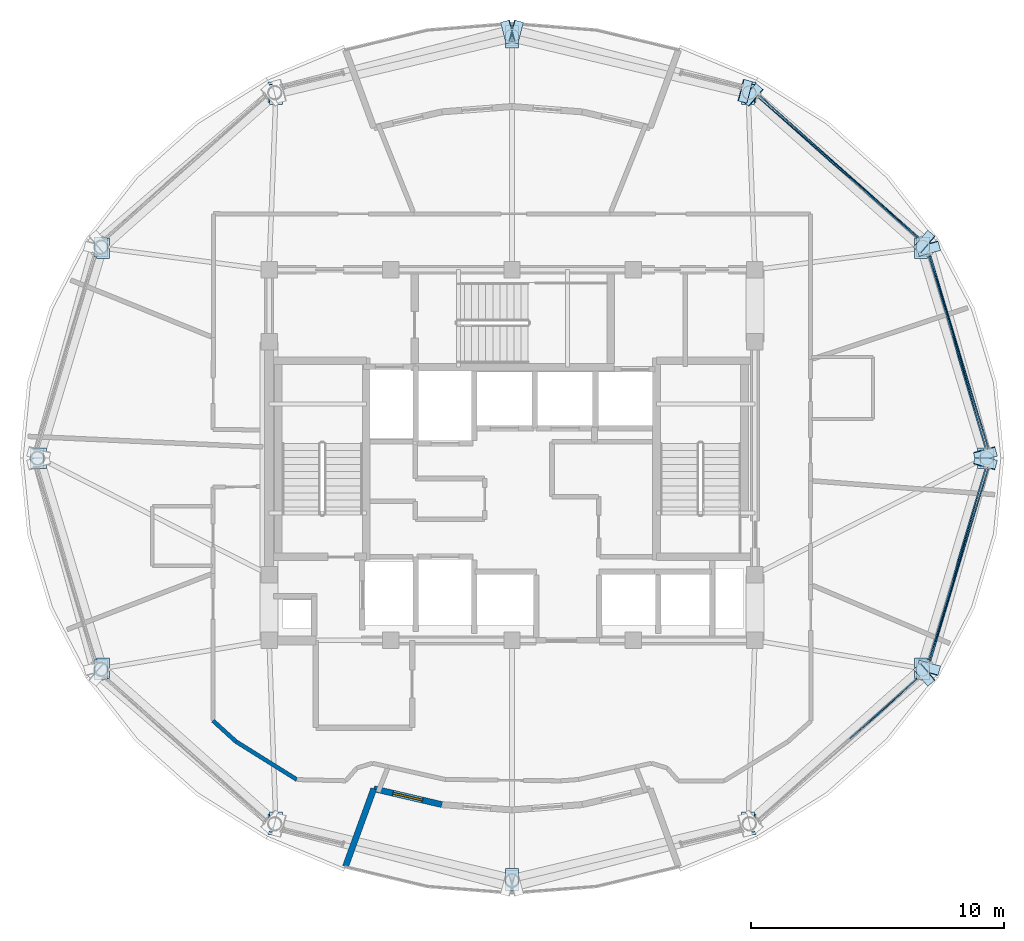
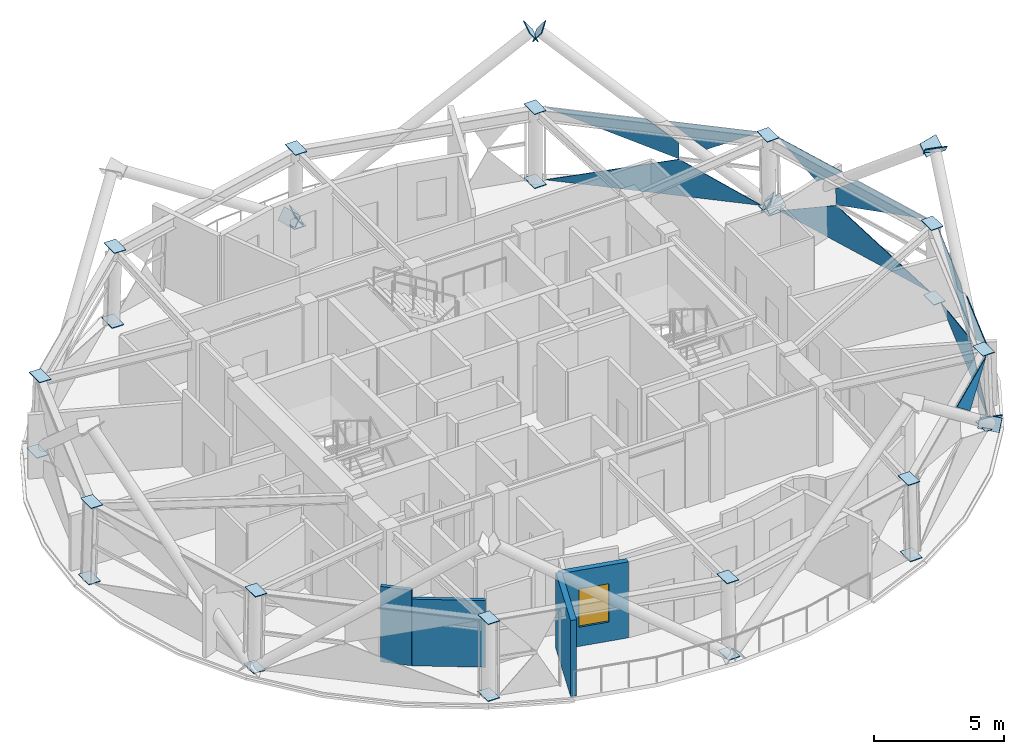
# One storey, part 6 of 13: 44 plates, 4 walls, 1 window, 1 opening, 4 elements without a shape of their own.
"""IFC4 building model written with IfcOpenShell, lengths in metres."""

from ifc_helpers import new_model, si_unit, direction, frame, frame_2d, origin, place, context, subcontext, project, spatial, polyline, rectangle, outline, extrude, material, layer, layer_set, type_object, element, fill, aggregate, save


model = new_model("IFC4")

# Units and contexts
model_context = context("Model", 3, precision=1e-05, world=origin(), true_north=direction((0.0, 1.0)))
body_context = subcontext(model_context, "Body", "Model", "MODEL_VIEW")
ifc_project = project(units=[si_unit("LENGTHUNIT", "METRE"), si_unit("AREAUNIT", "SQUARE_METRE"), si_unit("VOLUMEUNIT", "CUBIC_METRE"), si_unit("PLANEANGLEUNIT", "RADIAN"), si_unit("MASSUNIT", "GRAM", prefix="KILO")], contexts=[model_context])

# Site, building, storey
site_placement = place(None, origin())
site = spatial("IfcSite", under=ifc_project, at=site_placement, CompositionType="ELEMENT")
building_placement = place(site_placement, origin())
building = spatial("IfcBuilding", under=site, at=building_placement, Name="Vantalir Tower", CompositionType="ELEMENT")
storey_placement = place(building_placement, frame((0.0, 0.0, 282.60009765625)))
storey = spatial("IfcBuildingStorey", under=building, at=storey_placement, Name="L71", CompositionType="ELEMENT", Elevation=282.60009765625)

# Curtain wall, plates
ifc_material_1 = material(Name="Champagne-silver PVDF aluminium and double-silver Low-E glass", Category="aluminium")
ifc_layer_1 = layer(ifc_material_1, 0.219970703125)
ifc_layer_set_1 = layer_set([ifc_layer_1], Name="Champagne-silver PVDF aluminium and double-silver Low-E glass")
curtain_wall_type = type_object("IfcCurtainWallType", Name="CW-DIAMOND-Z4", PredefinedType="USERDEFINED", material=ifc_layer_set_1)
curtain_wall_1_placement = place(storey_placement, origin())
curtain_wall_1 = element("IfcCurtainWall", 1, at=curtain_wall_1_placement, inside=storey, type_object=curtain_wall_type, Name="L71 Quilted Pyramid-Diamond Curtain Wall S01", ObjectType="UNITISED CURTAIN WALL", PredefinedType="USERDEFINED")
ifc_material_2 = material(Name="Double-silver Low-E acoustic glass IGU", Category="glass")
ifc_layer_2 = layer(ifc_material_2, 0.031982421875)
ifc_layer_set_2 = layer_set([ifc_layer_2], Name="Double-silver Low-E acoustic glass IGU")
plate_type_1 = type_object("IfcPlateType", Name="CWP-IGU-32", PredefinedType="CURTAIN_PANEL", material=ifc_layer_set_2)
plate_1_placement = place(storey_placement, frame((50.34326171875, 25.3876953125, 0.046875), z_axis=(0.957520319371, 0.287971889541, 0.01506747575), x_axis=(-0.288005023828, 0.957628897497, 3.0483174e-05)))
plate_1 = element("IfcPlate", 2, at=plate_1_placement, type_object=plate_type_1, Name="CW-L71-S01 Pyramid Diamond Facet 1L", PredefinedType="CURTAIN_PANEL", context=body_context, shape_type="SweptSolid", body=[
    extrude(outline(polyline([(0.0, 0.0), (8.009029128531912, 2.791820594150174e-18), (4.961663180608871, 1.7248980810936876), (0.0, 0.0)])), origin(), (0.0, 0.0, -1.0), 0.031982421875),
])
plate_2_placement = place(storey_placement, frame((50.238525390625, 25.3876953125, 3.52294921875), z_axis=(0.956736305909, 0.287792560988, 0.042791153248), x_axis=(-0.288053787166, 0.957614229016, -6.391908e-05)))
plate_2 = element("IfcPlate", 3, at=plate_2_placement, type_object=plate_type_1, Name="CW-L71-S01 Pyramid Diamond Facet 2U", PredefinedType="CURTAIN_PANEL", context=body_context, shape_type="SweptSolid", body=[
    extrude(outline(polyline([(0.0, 0.0), (3.769664868032772, 4.4994390158148434e-18), (4.931504511162074, -0.9500178545380409), (4.931529650223802, -1.7261161681040134), (0.0, 0.0)])), origin(), (0.0, 0.0, -1.0), 0.031982421875),
])
plate_3_placement = place(storey_placement, frame((48.955322265625, 29.77880859375, 3.524169921875), z_axis=(0.956754815848, 0.287768561977, 0.042537948812), x_axis=(-0.288029271151, 0.957621605312, 0.0)))
plate_3 = element("IfcPlate", 4, at=plate_3_placement, type_object=plate_type_1, Name="CW-L71-S01 Pyramid Diamond Facet 2U Infill Light", PredefinedType="CURTAIN_PANEL", context=body_context, shape_type="SweptSolid", body=[
    extrude(outline(polyline([(0.0, 0.0), (3.385411671365819, -6.938893903907228e-18), (1.3907081935838645, -1.1370154956442515), (0.0, 0.0)])), origin(), (0.0, 0.0, -1.0), 0.031982421875),
])
aggregate(curtain_wall_1, [plate_1, plate_2, plate_3])

curtain_wall_2_placement = place(storey_placement, origin())
curtain_wall_2 = element("IfcCurtainWall", 5, at=curtain_wall_2_placement, inside=storey, type_object=curtain_wall_type, Name="L71 Quilted Pyramid-Diamond Curtain Wall S02", ObjectType="UNITISED CURTAIN WALL", PredefinedType="USERDEFINED")
plate_4_placement = place(storey_placement, frame((47.61767578125, 33.71435546875, 0.047119140625), z_axis=(0.665075633928, 0.746646187507, 0.013923786745), x_axis=(-0.746718308036, 0.665140411955, -2.8775272e-05)))
plate_4 = element("IfcPlate", 6, at=plate_4_placement, type_object=plate_type_1, Name="CW-L71-S02 Pyramid Diamond Facet 1L", PredefinedType="CURTAIN_PANEL", context=body_context, shape_type="SweptSolid", body=[
    extrude(outline(polyline([(0.0, 0.0), (8.484389830237367, 2.303929616531697e-17), (3.232375127412543, 1.725113762405954), (0.0, 0.0)])), origin(), (0.0, 0.0, -1.0), 0.031982421875),
])
plate_5_placement = place(storey_placement, frame((44.21923828125, 36.614013671875, 3.52294921875), z_axis=(0.664613872642, 0.746068866963, 0.040861302495), x_axis=(-0.746692454703, 0.665169435624, -1.056799e-06)))
plate_5 = element("IfcPlate", 7, at=plate_5_placement, type_object=plate_type_1, Name="CW-L71-S02 Pyramid Diamond Facet 2U", PredefinedType="CURTAIN_PANEL", context=body_context, shape_type="SweptSolid", body=[
    extrude(outline(polyline([(0.0, 0.0), (4.002770238132477, -2.7755575615628914e-17), (-1.2338861944535888, -1.7265409184674938), (-1.233799294139806, -0.9539272271004493), (0.0, 0.0)])), origin(), (0.0, 0.0, -1.0), 0.031982421875),
])
plate_6_placement = place(storey_placement, frame((47.55078125, 33.6943359375, 3.524169921875), z_axis=(0.664616432439, 0.746061675754, 0.040950869379), x_axis=(-0.746689875251, 0.665172327739, 6.7874727e-05)))
plate_6 = element("IfcPlate", 8, at=plate_6_placement, type_object=plate_type_1, Name="CW-L71-S02 Pyramid Diamond Facet 2U Infill Light", PredefinedType="CURTAIN_PANEL", context=body_context, shape_type="SweptSolid", body=[
    extrude(outline(polyline([(0.0, 0.0), (3.5969297356836334, 6.288372600415926e-18), (2.116883938907133, -1.1436811745597193), (0.0, 0.0)])), origin(), (0.0, 0.0, -1.0), 0.031982421875),
])
aggregate(curtain_wall_2, [plate_4, plate_5, plate_6])

# Curtain wall, plate
curtain_wall_3_placement = place(storey_placement, origin())
curtain_wall_3 = element("IfcCurtainWall", 9, at=curtain_wall_3_placement, inside=storey, type_object=curtain_wall_type, Name="L71 Quilted Pyramid-Diamond Curtain Wall S11", ObjectType="UNITISED CURTAIN WALL", PredefinedType="USERDEFINED")
plate_7_placement = place(storey_placement, frame((44.864990234375, 13.9130859375, 3.5244140625), z_axis=(0.664616432439, -0.746061675754, 0.040950869379), x_axis=(0.746689875251, 0.665172327739, -6.7874727e-05)))
plate_7 = element("IfcPlate", 10, at=plate_7_placement, type_object=plate_type_1, Name="CW-L71-S11 Pyramid Diamond Facet 2U Infill Light", PredefinedType="CURTAIN_PANEL", context=body_context, shape_type="SweptSolid", body=[
    extrude(outline(polyline([(0.0, 0.0), (3.5969297356836334, -6.288372600415926e-18), (1.4800457967765004, -1.1436811745597193), (0.0, 0.0)])), origin(), (0.0, 0.0, -1.0), 0.031982421875),
])
aggregate(curtain_wall_3, [plate_7])

# Curtain wall, plates
curtain_wall_4_placement = place(storey_placement, origin())
curtain_wall_4 = element("IfcCurtainWall", 11, at=curtain_wall_4_placement, inside=storey, type_object=curtain_wall_type, Name="L71 Quilted Pyramid-Diamond Curtain Wall S12", ObjectType="UNITISED CURTAIN WALL", PredefinedType="USERDEFINED")
plate_8_placement = place(storey_placement, frame((48.03662109375, 16.942626953125, 0.047119140625), z_axis=(0.957520319371, -0.287971889541, 0.01506747575), x_axis=(0.288005023828, 0.957628897497, -3.0483174e-05)))
plate_8 = element("IfcPlate", 12, at=plate_8_placement, type_object=plate_type_1, Name="CW-L71-S12 Pyramid Diamond Facet 1L", PredefinedType="CURTAIN_PANEL", context=body_context, shape_type="SweptSolid", body=[
    extrude(outline(polyline([(0.0, 0.0), (8.009029128531912, -2.791820594150174e-18), (3.0473659479230424, 1.7248980810936878), (0.0, 0.0)])), origin(), (0.0, 0.0, -1.0), 0.031982421875),
])
plate_9_placement = place(storey_placement, frame((49.152587890625, 21.00244140625, 3.522705078125), z_axis=(0.956736305909, -0.287792560988, 0.042791153248), x_axis=(0.288053787166, 0.957614229016, 6.391908e-05)))
plate_9 = element("IfcPlate", 13, at=plate_9_placement, type_object=plate_type_1, Name="CW-L71-S12 Pyramid Diamond Facet 2U", PredefinedType="CURTAIN_PANEL", context=body_context, shape_type="SweptSolid", body=[
    extrude(outline(polyline([(0.0, 0.0), (3.769664868032772, -4.4994390158148434e-18), (-1.161864782191031, -1.7261161681040136), (-1.1618396431293025, -0.9500178545380409), (0.0, 0.0)])), origin(), (0.0, 0.0, -1.0), 0.031982421875),
])
plate_10_placement = place(storey_placement, frame((47.980224609375, 16.979248046875, 3.524169921875), z_axis=(0.956754815848, -0.287768561977, 0.042537948812), x_axis=(0.288029271151, 0.957621605312, 0.0)))
plate_10 = element("IfcPlate", 14, at=plate_10_placement, type_object=plate_type_1, Name="CW-L71-S12 Pyramid Diamond Facet 2U Infill Light", PredefinedType="CURTAIN_PANEL", context=body_context, shape_type="SweptSolid", body=[
    extrude(outline(polyline([(0.0, 0.0), (3.385411671365819, 6.938893903907228e-18), (1.9947034777819543, -1.1370154956442515), (0.0, 0.0)])), origin(), (0.0, 0.0, -1.0), 0.031982421875),
])
aggregate(curtain_wall_4, [plate_8, plate_9, plate_10])

# Plates
ifc_material_3 = material(Name="Steel S460", Category="steel")
ifc_layer_3 = layer(ifc_material_3, 0.035888671875)
ifc_layer_set_3 = layer_set([ifc_layer_3], Name="Steel S460")
plate_type_2 = type_object("IfcPlateType", Name="PLT-KN-Z2", PredefinedType="USERDEFINED", material=ifc_layer_set_3)
plate_11_placement = place(storey_placement, frame((47.933837890625, 34.011962890625, -0.01025390625), z_axis=(-0.601730416807, 0.514012372102, 0.611319709167), x_axis=(-0.649485312861, -0.760374135855, 4.3586421e-05)))
element("IfcPlate", 15, at=plate_11_placement, inside=storey, type_object=plate_type_2, Name="Node Cap Plate MEM-DG-L71-R04L Start", ObjectType="FLANGE_PLATE", PredefinedType="USERDEFINED", context=body_context, shape_type="SweptSolid", body=[
    extrude(outline(polyline([(0.0, 0.0), (0.8800367733856593, 0.0), (0.8800570290458132, 0.5799285452840427), (0.00020589387691538188, 0.5800254732492016), (0.0, 0.0)])), origin(), (0.0, 0.0, -1.0), 0.035888671875),
])
plate_12_placement = place(storey_placement, frame((41.1416015625, 39.81494140625, 6.89306640625), z_axis=(-0.60161733901, 0.514025542526, 0.611419920377), x_axis=(-0.649646685766, -0.760236262435, -9.4620962e-05)))
element("IfcPlate", 16, at=plate_12_placement, inside=storey, type_object=plate_type_2, Name="Node Cap Plate MEM-DG-L71-R04L End", ObjectType="FLANGE_PLATE", PredefinedType="USERDEFINED", context=body_context, shape_type="SweptSolid", body=[
    extrude(outline(polyline([(0.0, 0.0), (0.880009740511242, -1.1102230246251565e-16), (0.8799183236554069, 0.5801389796451087), (-0.00011841626420156163, 0.5799285209517617), (0.0, 0.0)])), origin(), (0.0, 0.0, -1.0), 0.035888671875),
])
plate_13_placement = place(storey_placement, frame((47.591552734375, 32.98095703125, -0.000244140625), z_axis=(0.205846124445, -0.746286158004, 0.632996321808), x_axis=(0.964015443465, 0.265846234631, -6.5526257e-05)))
element("IfcPlate", 17, at=plate_13_placement, inside=storey, type_object=plate_type_2, Name="Node Cap Plate MEM-DG-L71-R04R Start", ObjectType="FLANGE_PLATE", PredefinedType="USERDEFINED", context=body_context, shape_type="SweptSolid", body=[
    extrude(outline(polyline([(0.0, 0.0), (0.8800376852580634, 0.0), (0.8799767380030782, 0.5800290481123247), (-0.0001258511208619957, 0.5798800657592473), (0.0, 0.0)])), origin(), (0.0, 0.0, -1.0), 0.035888671875),
])
plate_14_placement = place(storey_placement, frame((49.835205078125, 24.849365234375, 6.893798828125), z_axis=(0.206072299213, -0.746501738755, 0.632668445185), x_axis=(0.963945999971, 0.266097931483, 0.0)))
element("IfcPlate", 18, at=plate_14_placement, inside=storey, type_object=plate_type_2, Name="Node Cap Plate MEM-DG-L71-R04R End", ObjectType="FLANGE_PLATE", PredefinedType="USERDEFINED", context=body_context, shape_type="SweptSolid", body=[
    extrude(outline(polyline([(0.0, 0.0), (0.8798672656719071, 2.7755575615628914e-17), (0.8798666559869875, 0.5800691340610256), (-6.096849194471345e-07, 0.5800691340610256), (0.0, 0.0)])), origin(), (0.0, 0.0, -1.0), 0.035888671875),
])
plate_15_placement = place(storey_placement, frame((31.04541015625, 42.226806640625, -0.017822265625), z_axis=(-0.778630800766, -0.201491220259, 0.594251936687), x_axis=(0.250535931623, -0.968107301227, 1.6611802e-05)))
element("IfcPlate", 19, at=plate_15_placement, inside=storey, type_object=plate_type_2, Name="Node Cap Plate MEM-DG-L71-R10L Start", ObjectType="FLANGE_PLATE", PredefinedType="USERDEFINED", context=body_context, shape_type="SweptSolid", body=[
    extrude(outline(polyline([(0.0, 0.0), (0.8798731250581168, 0.0), (0.8800617203581628, 0.5800700276700484), (-4.775902154281701e-05, 0.5801063788412002), (0.0, 0.0)])), origin(), (0.0, 0.0, -1.0), 0.035888671875),
])
plate_16_placement = place(storey_placement, frame((31.734130859375, 41.375, -0.017822265625), z_axis=(0.778630800766, -0.201491220259, 0.594251936687), x_axis=(0.250535931623, 0.968107301227, -1.6611802e-05)))
element("IfcPlate", 20, at=plate_16_placement, inside=storey, type_object=plate_type_2, Name="Node Cap Plate MEM-DG-L71-R10R Start", ObjectType="FLANGE_PLATE", PredefinedType="USERDEFINED", context=body_context, shape_type="SweptSolid", body=[
    extrude(outline(polyline([(0.0, 0.0), (0.8798731250581168, 0.0), (0.8799208840796596, 0.5801063788412002), (-0.00018859530004587728, 0.5800700276700484), (0.0, 0.0)])), origin(), (0.0, 0.0, -1.0), 0.035888671875),
])
plate_17_placement = place(storey_placement, frame((40.7822265625, 39.033447265625, 6.892578125), z_axis=(0.778469439878, -0.201420602926, 0.594487234424), x_axis=(0.250490409734, 0.968119080811, 0.0)))
element("IfcPlate", 21, at=plate_17_placement, inside=storey, type_object=plate_type_2, Name="Node Cap Plate MEM-DG-L71-R10R End", ObjectType="FLANGE_PLATE", PredefinedType="USERDEFINED", context=body_context, shape_type="SweptSolid", body=[
    extrude(outline(polyline([(0.0, 0.0), (0.880109480474101, 2.7755575615628914e-17), (0.8801812003228442, 0.5799100440298638), (7.171984874328186e-05, 0.5799100440298638), (0.0, 0.0)])), origin(), (0.0, 0.0, -1.0), 0.035888671875),
])
plate_18_placement = place(storey_placement, frame((48.43994140625, 16.78515625, -0.000244140625), z_axis=(0.205846124445, 0.746286158004, 0.632996321808), x_axis=(-0.964015443465, 0.265846234631, 6.5526257e-05)))
element("IfcPlate", 22, at=plate_18_placement, inside=storey, type_object=plate_type_2, Name="Node Cap Plate MEM-DG-L71-R34L Start", ObjectType="FLANGE_PLATE", PredefinedType="USERDEFINED", context=body_context, shape_type="SweptSolid", body=[
    extrude(outline(polyline([(0.0, 0.0), (0.8800376852580634, 0.0), (0.8801635363789253, 0.5798800657592473), (6.094725498517595e-05, 0.5800290481123247), (0.0, 0.0)])), origin(), (0.0, 0.0, -1.0), 0.035888671875),
])
plate_19_placement = place(storey_placement, frame((50.683349609375, 24.91650390625, 6.893798828125), z_axis=(0.206072299213, 0.746501738755, 0.632668445185), x_axis=(-0.963945999971, 0.266097931483, 0.0)))
element("IfcPlate", 23, at=plate_19_placement, inside=storey, type_object=plate_type_2, Name="Node Cap Plate MEM-DG-L71-R34L End", ObjectType="FLANGE_PLATE", PredefinedType="USERDEFINED", context=body_context, shape_type="SweptSolid", body=[
    extrude(outline(polyline([(0.0, 0.0), (0.8798672656719071, -2.7755575615628914e-17), (0.8798678753568265, 0.5800691340610256), (6.096849194471345e-07, 0.5800691340610256), (0.0, 0.0)])), origin(), (0.0, 0.0, -1.0), 0.035888671875),
])
plate_20_placement = place(storey_placement, frame((47.3623046875, 16.6572265625, -0.01025390625), z_axis=(-0.601730416807, -0.514012372102, 0.611319709167), x_axis=(0.649485312861, -0.760374135855, -4.3586421e-05)))
element("IfcPlate", 24, at=plate_20_placement, inside=storey, type_object=plate_type_2, Name="Node Cap Plate MEM-DG-L71-R34R Start", ObjectType="FLANGE_PLATE", PredefinedType="USERDEFINED", context=body_context, shape_type="SweptSolid", body=[
    extrude(outline(polyline([(0.0, 0.0), (0.8800367733856593, 0.0), (0.879830879508744, 0.5800254732492017), (-2.025566015381298e-05, 0.5799285452840427), (0.0, 0.0)])), origin(), (0.0, 0.0, -1.0), 0.035888671875),
])
ifc_layer_4 = layer(ifc_material_3, 0.031982421875)
ifc_layer_set_4 = layer_set([ifc_layer_4], Name="Steel S460")
plate_type_3 = type_object("IfcPlateType", Name="PLT-KN-Z3", PredefinedType="USERDEFINED", material=ifc_layer_set_4)
for number, where, z_axis, x_axis, name in (
    (25, (49.904296875, 25.39990234375, 3.586181640625), (-0.029578410134, 0.0, 0.999562463108), (0.0, -1.0, 0.0), "L71 Ring Column Top Cap RC01"),
    (26, (50.008544921875, 25.39990234375, 0.045166015625), (-0.029578410134, 0.0, 0.999562463108), (0.0, -1.0, 0.0), "L71 Ring Column Base Cap RC01"),
):
    element("IfcPlate", number, at=place(storey_placement, frame(where, z_axis=z_axis, x_axis=x_axis)), inside=storey, type_object=plate_type_3, Name=name, ObjectType="FLANGE_PLATE", PredefinedType="USERDEFINED", context=body_context, shape_type="SweptSolid", body=[
        extrude(outline(polyline([(0.0, 0.0), (0.7998046875, 0.0), (0.7998046875, 0.5200029110827024), (0.0, 0.5200029110827024), (0.0, 0.0)])), origin(), (0.0, 0.0, -1.0), 0.031982421875),
    ])
plate_21_placement = place(storey_placement, frame((47.403564453125, 33.70263671875, 3.592529296875), z_axis=(-0.02535676287, -0.013118410706, 0.999592387865), x_axis=(-5.0765e-08, -0.999913894566, -0.013122631371)))
element("IfcPlate", 27, at=plate_21_placement, inside=storey, type_object=plate_type_3, Name="L71 Ring Column Top Cap RC02", ObjectType="FLANGE_PLATE", PredefinedType="USERDEFINED", context=body_context, shape_type="SweptSolid", body=[
    extrude(outline(polyline([(0.0, 0.0), (0.7998735819694247, -5.421010862427522e-20), (0.7999446717453117, 0.5199426106714667), (-0.00017302982727854179, 0.5199425294219071), (0.0, 0.0)])), origin(), (0.0, 0.0, -1.0), 0.031982421875),
])
plate_22_placement = place(storey_placement, frame((47.49365234375, 33.749267578125, 0.051513671875), z_axis=(-0.025344865935, -0.013118414665, 0.999592689533), x_axis=(-5.0741e-08, -0.999913894566, -0.013122631369)))
element("IfcPlate", 28, at=plate_22_placement, inside=storey, type_object=plate_type_3, Name="L71 Ring Column Base Cap RC02", ObjectType="FLANGE_PLATE", PredefinedType="USERDEFINED", context=body_context, shape_type="SweptSolid", body=[
    extrude(outline(polyline([(0.0, 0.0), (0.7998735819694247, 0.0), (0.7999446717453117, 0.5201866728146339), (-0.0001730298272785437, 0.5201865916031951), (0.0, 0.0)])), origin(), (0.0, 0.0, -1.0), 0.031982421875),
])
plate_23_placement = place(storey_placement, frame((40.57275390625, 39.780517578125, 3.599365234375), z_axis=(-0.014566258175, -0.023190322317, 0.999624946204), x_axis=(0.0, -0.999731011233, -0.023192782922)))
element("IfcPlate", 29, at=plate_23_placement, inside=storey, type_object=plate_type_3, Name="L71 Ring Column Top Cap RC03", ObjectType="FLANGE_PLATE", PredefinedType="USERDEFINED", context=body_context, shape_type="SweptSolid", body=[
    extrude(outline(polyline([(0.0, 0.0), (0.8000198838623921, 0.0), (0.8000884275002436, 0.5198305413011196), (6.854363785137058e-05, 0.5198305413011196), (0.0, 0.0)])), origin(), (0.0, 0.0, -1.0), 0.031982421875),
])
plate_24_placement = place(storey_placement, frame((40.624267578125, 39.86181640625, 0.058349609375), z_axis=(-0.014559421006, -0.023190324627, 0.999625045756), x_axis=(0.0, -0.999731011233, -0.023192782922)))
element("IfcPlate", 30, at=plate_24_placement, inside=storey, type_object=plate_type_3, Name="L71 Ring Column Base Cap RC03", ObjectType="FLANGE_PLATE", PredefinedType="USERDEFINED", context=body_context, shape_type="SweptSolid", body=[
    extrude(outline(polyline([(0.0, 0.0), (0.8000198838623921, 5.421010862427522e-20), (0.8000884275002436, 0.5200746560365286), (6.854363785137058e-05, 0.5200746560365285), (0.0, 0.0)])), origin(), (0.0, 0.0, -1.0), 0.031982421875),
])
for number, where, z_axis, x_axis, name in (
    (31, (31.239990234375, 42.005126953125, 3.6044921875), (0.0, -0.026555517126, 0.999647340071), (0.0, -0.999647340071, -0.026555517126), "L71 Ring Column Top Cap RC04"),
    (32, (31.239990234375, 42.098388671875, 0.0634765625), (0.0, -0.026555517126, 0.999647340071), (0.0, -0.999647340071, -0.026555517126), "L71 Ring Column Base Cap RC04"),
):
    element("IfcPlate", number, at=place(storey_placement, frame(where, z_axis=z_axis, x_axis=x_axis)), inside=storey, type_object=plate_type_3, Name=name, ObjectType="FLANGE_PLATE", PredefinedType="USERDEFINED", context=body_context, shape_type="SweptSolid", body=[
        extrude(outline(polyline([(0.0, 0.0), (0.7998426193166716, 0.0), (0.7998426193166716, 0.52001953125), (0.0, 0.52001953125), (0.0, 0.0)])), origin(), (0.0, 0.0, -1.0), 0.031982421875),
    ])
plate_25_placement = place(storey_placement, frame((21.908447265625, 39.7802734375, 3.60693359375), z_axis=(0.015035644011, -0.022885188381, 0.999625028479), x_axis=(0.0, -0.999738040551, -0.022887775654)))
element("IfcPlate", 33, at=plate_25_placement, inside=storey, type_object=plate_type_3, Name="L71 Ring Column Top Cap RC05", ObjectType="FLANGE_PLATE", PredefinedType="USERDEFINED", context=body_context, shape_type="SweptSolid", body=[
    extrude(outline(polyline([(0.0, 0.0), (0.8000142587940757, 0.0), (0.7999489928713133, 0.519834153553444), (-6.52659227623617e-05, 0.519834153553444), (0.0, 0.0)])), origin(), (0.0, 0.0, -1.0), 0.031982421875),
])
plate_26_placement = place(storey_placement, frame((21.855712890625, 39.861572265625, 0.06591796875), z_axis=(0.015028586618, -0.022885190809, 0.999625134551), x_axis=(0.0, -0.999738040551, -0.022887775654)))
element("IfcPlate", 34, at=plate_26_placement, inside=storey, type_object=plate_type_3, Name="L71 Ring Column Base Cap RC05", ObjectType="FLANGE_PLATE", PredefinedType="USERDEFINED", context=body_context, shape_type="SweptSolid", body=[
    extrude(outline(polyline([(0.0, 0.0), (0.8000142587940757, 0.0), (0.7999489928713133, 0.520078266593331), (-6.52659227623617e-05, 0.520078266593331), (0.0, 0.0)])), origin(), (0.0, 0.0, -1.0), 0.031982421875),
])
plate_27_placement = place(storey_placement, frame((15.07666015625, 33.70263671875, 3.605712890625), z_axis=(0.02535676287, -0.013118410706, 0.999592387865), x_axis=(-5.0749e-08, -0.9999138946, -0.013122628796)))
element("IfcPlate", 35, at=plate_27_placement, inside=storey, type_object=plate_type_3, Name="L71 Ring Column Top Cap RC06", ObjectType="FLANGE_PLATE", PredefinedType="USERDEFINED", context=body_context, shape_type="SweptSolid", body=[
    extrude(outline(polyline([(0.0, 0.0), (0.8001177015725943, -5.421010862427522e-20), (0.8000465589980903, 0.5199426106642452), (0.00017297702866972357, 0.5199425294394752), (0.0, 0.0)])), origin(), (0.0, 0.0, -1.0), 0.031982421875),
])
plate_28_placement = place(storey_placement, frame((14.986328125, 33.749267578125, 0.064697265625), z_axis=(0.025344865935, -0.013118414665, 0.999592689533), x_axis=(-5.0726e-08, -0.9999138946, -0.013122628797)))
element("IfcPlate", 36, at=plate_28_placement, inside=storey, type_object=plate_type_3, Name="L71 Ring Column Base Cap RC06", ObjectType="FLANGE_PLATE", PredefinedType="USERDEFINED", context=body_context, shape_type="SweptSolid", body=[
    extrude(outline(polyline([(0.0, 0.0), (0.8001177015725943, 0.0), (0.8000465589980903, 0.5201866728074157), (0.00017297702866972165, 0.5201865916207549), (0.0, 0.0)])), origin(), (0.0, 0.0, -1.0), 0.031982421875),
])
for number, where, z_axis, x_axis, name in (
    (37, (12.575927734375, 25.39990234375, 3.6015625), (0.029578410134, 0.0, 0.999562463108), (0.0, -1.0, 0.0), "L71 Ring Column Top Cap RC07"),
    (38, (12.4716796875, 25.39990234375, 0.060546875), (0.029578410134, 0.0, 0.999562463108), (0.0, -1.0, 0.0), "L71 Ring Column Base Cap RC07"),
):
    element("IfcPlate", number, at=place(storey_placement, frame(where, z_axis=z_axis, x_axis=x_axis)), inside=storey, type_object=plate_type_3, Name=name, ObjectType="FLANGE_PLATE", PredefinedType="USERDEFINED", context=body_context, shape_type="SweptSolid", body=[
        extrude(outline(polyline([(0.0, 0.0), (0.7998046875, 0.0), (0.7998046875, 0.5200029110827024), (0.0, 0.5200029110827024), (0.0, 0.0)])), origin(), (0.0, 0.0, -1.0), 0.031982421875),
    ])
plate_29_placement = place(storey_placement, frame((15.07666015625, 17.097412109375, 3.59521484375), z_axis=(0.02535676287, 0.013118410706, 0.999592387865), x_axis=(5.0749e-08, -0.9999138946, 0.013122628796)))
element("IfcPlate", 39, at=plate_29_placement, inside=storey, type_object=plate_type_3, Name="L71 Ring Column Top Cap RC08", ObjectType="FLANGE_PLATE", PredefinedType="USERDEFINED", context=body_context, shape_type="SweptSolid", body=[
    extrude(outline(polyline([(0.0, 0.0), (0.8001177015725943, 5.421010862427522e-20), (0.7999447245439245, 0.519942529439475), (7.114257450402433e-05, 0.5199426106642452), (0.0, 0.0)])), origin(), (0.0, 0.0, -1.0), 0.031982421875),
])
plate_30_placement = place(storey_placement, frame((14.986328125, 17.05078125, 0.05419921875), z_axis=(0.025344865935, 0.013118414665, 0.999592689533), x_axis=(5.0726e-08, -0.9999138946, 0.013122628797)))
element("IfcPlate", 40, at=plate_30_placement, inside=storey, type_object=plate_type_3, Name="L71 Ring Column Base Cap RC08", ObjectType="FLANGE_PLATE", PredefinedType="USERDEFINED", context=body_context, shape_type="SweptSolid", body=[
    extrude(outline(polyline([(0.0, 0.0), (0.8001177015725943, 0.0), (0.7999447245439246, 0.5201865916207549), (7.11425745040224e-05, 0.5201866728074157), (0.0, 0.0)])), origin(), (0.0, 0.0, -1.0), 0.031982421875),
])
plate_31_placement = place(storey_placement, frame((21.907470703125, 11.01953125, 3.58837890625), z_axis=(0.014566258175, 0.023190322317, 0.999624946204), x_axis=(0.0, -0.999731011233, 0.023192782922)))
element("IfcPlate", 41, at=plate_31_placement, inside=storey, type_object=plate_type_3, Name="L71 Ring Column Top Cap RC09", ObjectType="FLANGE_PLATE", PredefinedType="USERDEFINED", context=body_context, shape_type="SweptSolid", body=[
    extrude(outline(polyline([(0.0, 0.0), (0.8000198838623921, 0.0), (0.8000884275002436, 0.5198305413011196), (6.854363785137058e-05, 0.5198305413011196), (0.0, 0.0)])), origin(), (0.0, 0.0, -1.0), 0.031982421875),
])
plate_32_placement = place(storey_placement, frame((21.855712890625, 10.938232421875, 0.04736328125), z_axis=(0.014559421006, 0.023190324627, 0.999625045756), x_axis=(0.0, -0.999731011233, 0.023192782922)))
element("IfcPlate", 42, at=plate_32_placement, inside=storey, type_object=plate_type_3, Name="L71 Ring Column Base Cap RC09", ObjectType="FLANGE_PLATE", PredefinedType="USERDEFINED", context=body_context, shape_type="SweptSolid", body=[
    extrude(outline(polyline([(0.0, 0.0), (0.8000198838623921, 5.421010862427522e-20), (0.8000884275002436, 0.5200746560365286), (6.854363785137058e-05, 0.5200746560365285), (0.0, 0.0)])), origin(), (0.0, 0.0, -1.0), 0.031982421875),
])
for number, where, z_axis, x_axis, name in (
    (43, (31.239990234375, 8.79443359375, 3.583251953125), (0.0, 0.026555517126, 0.999647340071), (0.0, -0.999647340071, 0.026555517126), "L71 Ring Column Top Cap RC10"),
    (44, (31.239990234375, 8.701171875, 0.042236328125), (0.0, 0.026555517126, 0.999647340071), (0.0, -0.999647340071, 0.026555517126), "L71 Ring Column Base Cap RC10"),
):
    element("IfcPlate", number, at=place(storey_placement, frame(where, z_axis=z_axis, x_axis=x_axis)), inside=storey, type_object=plate_type_3, Name=name, ObjectType="FLANGE_PLATE", PredefinedType="USERDEFINED", context=body_context, shape_type="SweptSolid", body=[
        extrude(outline(polyline([(0.0, 0.0), (0.7998426193166716, 0.0), (0.7998426193166716, 0.52001953125), (0.0, 0.52001953125), (0.0, 0.0)])), origin(), (0.0, 0.0, -1.0), 0.031982421875),
    ])
plate_33_placement = place(storey_placement, frame((40.57275390625, 11.019287109375, 3.580810546875), z_axis=(-0.014566258175, 0.023190322317, 0.999624946204), x_axis=(0.0, -0.999731011233, 0.023192782922)))
element("IfcPlate", 45, at=plate_33_placement, inside=storey, type_object=plate_type_3, Name="L71 Ring Column Top Cap RC11", ObjectType="FLANGE_PLATE", PredefinedType="USERDEFINED", context=body_context, shape_type="SweptSolid", body=[
    extrude(outline(polyline([(0.0, 0.0), (0.8000198838623921, 0.0), (0.7999513402245407, 0.5198305413011196), (-6.854363785137058e-05, 0.5198305413011196), (0.0, 0.0)])), origin(), (0.0, 0.0, -1.0), 0.031982421875),
])
plate_34_placement = place(storey_placement, frame((40.624267578125, 10.93798828125, 0.039794921875), z_axis=(-0.014559421006, 0.023190324627, 0.999625045756), x_axis=(0.0, -0.999731011233, 0.023192782922)))
element("IfcPlate", 46, at=plate_34_placement, inside=storey, type_object=plate_type_3, Name="L71 Ring Column Base Cap RC11", ObjectType="FLANGE_PLATE", PredefinedType="USERDEFINED", context=body_context, shape_type="SweptSolid", body=[
    extrude(outline(polyline([(0.0, 0.0), (0.8000198838623921, -5.421010862427522e-20), (0.7999513402245407, 0.5200746560365286), (-6.854363785137058e-05, 0.5200746560365285), (0.0, 0.0)])), origin(), (0.0, 0.0, -1.0), 0.031982421875),
])
plate_35_placement = place(storey_placement, frame((47.403564453125, 17.09716796875, 3.58203125), z_axis=(-0.02535676287, 0.013118410706, 0.999592387865), x_axis=(5.0765e-08, -0.999913894566, 0.013122631371)))
element("IfcPlate", 47, at=plate_35_placement, inside=storey, type_object=plate_type_3, Name="L71 Ring Column Top Cap RC12", ObjectType="FLANGE_PLATE", PredefinedType="USERDEFINED", context=body_context, shape_type="SweptSolid", body=[
    extrude(outline(polyline([(0.0, 0.0), (0.7998735819694247, 5.421010862427522e-20), (0.8000466117967031, 0.5199425294219072), (-7.108977588695672e-05, 0.5199426106714667), (0.0, 0.0)])), origin(), (0.0, 0.0, -1.0), 0.031982421875),
])
plate_36_placement = place(storey_placement, frame((47.49365234375, 17.050537109375, 0.041015625), z_axis=(-0.025344865935, 0.013118414665, 0.999592689533), x_axis=(5.0741e-08, -0.999913894566, 0.013122631369)))
element("IfcPlate", 48, at=plate_36_placement, inside=storey, type_object=plate_type_3, Name="L71 Ring Column Base Cap RC12", ObjectType="FLANGE_PLATE", PredefinedType="USERDEFINED", context=body_context, shape_type="SweptSolid", body=[
    extrude(outline(polyline([(0.0, 0.0), (0.7998735819694247, 0.0), (0.8000466117967033, 0.5201865916031951), (-7.108977588695867e-05, 0.5201866728146339), (0.0, 0.0)])), origin(), (0.0, 0.0, -1.0), 0.031982421875),
])

# Walls
ifc_material_4 = material(Name="Fire-rated hotel corridor acoustic partition", Category="gypsum")
ifc_layer_5 = layer(ifc_material_4, 0.159912109375)
ifc_layer_set_5 = layer_set([ifc_layer_5], Name="Fire-rated hotel corridor acoustic partition")
wall_type_1 = type_object("IfcWallType", Name="WL-CORR-160", PredefinedType="PARTITIONING", material=ifc_layer_set_5)
wall_1_placement = place(storey_placement, frame((22.99609375, 12.299072265625, 0.0), z_axis=(0.0, 0.0, 1.0), x_axis=(-0.847993463974, 0.530006683975, 0.0)))
element("IfcWall", 49, at=wall_1_placement, inside=storey, type_object=wall_type_1, Name="L71 Corridor Partition 25", PredefinedType="PARTITIONING", context=body_context, shape_type="SweptSolid", body=[
    extrude(rectangle(XDim=2.833740234375, YDim=0.159912109375, at=frame_2d((1.4169921875, 0.0))), origin(), (0.0, 0.0, 1.0), 3.1318359375),
])
wall_2_placement = place(storey_placement, frame((20.593017578125, 13.801025390625, 0.0), z_axis=(0.0, 0.0, 1.0), x_axis=(-0.740129151482, 0.672464749356, 0.0)))
element("IfcWall", 50, at=wall_2_placement, inside=storey, type_object=wall_type_1, Name="L71 Corridor Partition 26", PredefinedType="PARTITIONING", context=body_context, shape_type="SweptSolid", body=[
    extrude(rectangle(XDim=1.226806640625, YDim=0.159912109375, at=frame_2d((0.61328125, 0.0))), origin(), (0.0, 0.0, 1.0), 3.5498046875),
])
ifc_material_5 = material(Name="Precast concrete C40/50 insulated sky-garden wall", Category="concrete")
ifc_layer_6 = layer(ifc_material_5, 0.239990234375)
ifc_layer_set_6 = layer_set([ifc_layer_6], Name="Precast concrete C40/50 insulated sky-garden wall")
wall_type_2 = type_object("IfcWallType", Name="WL-EXT-SG-240", PredefinedType="SOLIDWALL", material=ifc_layer_set_6)
wall_3_placement = place(storey_placement, frame((24.919921875, 8.864990234375, 0.0), z_axis=(0.0, 0.0, 1.0), x_axis=(0.341934878677, 0.939723650199, 0.0)))
element("IfcWall", 51, at=wall_3_placement, inside=storey, type_object=wall_type_2, Name="L71 Wind Portal Return SA", PredefinedType="SOLIDWALL", context=body_context, shape_type="SweptSolid", body=[
    extrude(rectangle(XDim=3.27001953125, YDim=0.239990234375, at=frame_2d((1.635009765625, 0.0))), origin(), (0.0, 0.0, 1.0), 3.56982421875),
])

# Wall, opening, window
wall_4_placement = place(storey_placement, frame((26.0380859375, 11.93798828125, 0.0), z_axis=(0.0, 0.0, 1.0), x_axis=(0.973879024803, -0.227067490076, 0.0)))
wall_4 = element("IfcWall", 52, at=wall_4_placement, inside=storey, type_object=wall_type_2, Name="L71 Wind Portal Lounge Wall S1", PredefinedType="SOLIDWALL", context=body_context, shape_type="SweptSolid", body=[
    extrude(rectangle(XDim=2.760986328125, YDim=0.239990234375, at=frame_2d((1.38037109375, 0.0))), origin(), (0.0, 0.0, 1.0), 3.56982421875),
])
opening_placement = place(wall_4_placement, frame((0.781005859375, 0.0, 0.89990234375)))
opening = element("IfcOpeningElement", 53, at=opening_placement, cuts=wall_4, Name="Opening WN-4", PredefinedType="OPENING", context=body_context, shape_type="SweptSolid", body=[
    extrude(rectangle(XDim=1.199951171875, YDim=1.800048828125, at=frame_2d((0.60009765625, 0.89990234375))), frame((0.0, 0.1298828125, 0.0), z_axis=(0.0, -1.0, 0.0), x_axis=(1.0, 0.0, 0.0)), (0.0, 0.0, 1.0), 0.260009765625),
])
ifc_material_6 = material(Name="Operable smoke-vent Low-E window", Category="glass")
window_type = type_object("IfcWindowType", Name="WIN-SG-1200x1800", PartitioningType="SINGLE_PANEL", PredefinedType="WINDOW", material=ifc_material_6)
window_placement = place(opening_placement, origin())
window = element("IfcWindow", 54, at=window_placement, inside=storey, type_object=window_type, Name="L71 Wind Portal Viewing Window S1", OverallHeight=1.800048828125, OverallWidth=1.199951171875, PartitioningType="SINGLE_PANEL", PredefinedType="WINDOW", context=body_context, shape_type="SweptSolid", body=[
    extrude(rectangle(XDim=1.199951171875, YDim=1.800048828125, at=frame_2d((0.60009765625, 0.89990234375))), frame((0.0, 0.030029296875, 0.0), z_axis=(0.0, -1.0, 0.0), x_axis=(1.0, 0.0, 0.0)), (0.0, 0.0, 1.0), 0.06005859375),
])
fill(opening, window)

save(model, "model.ifc")
